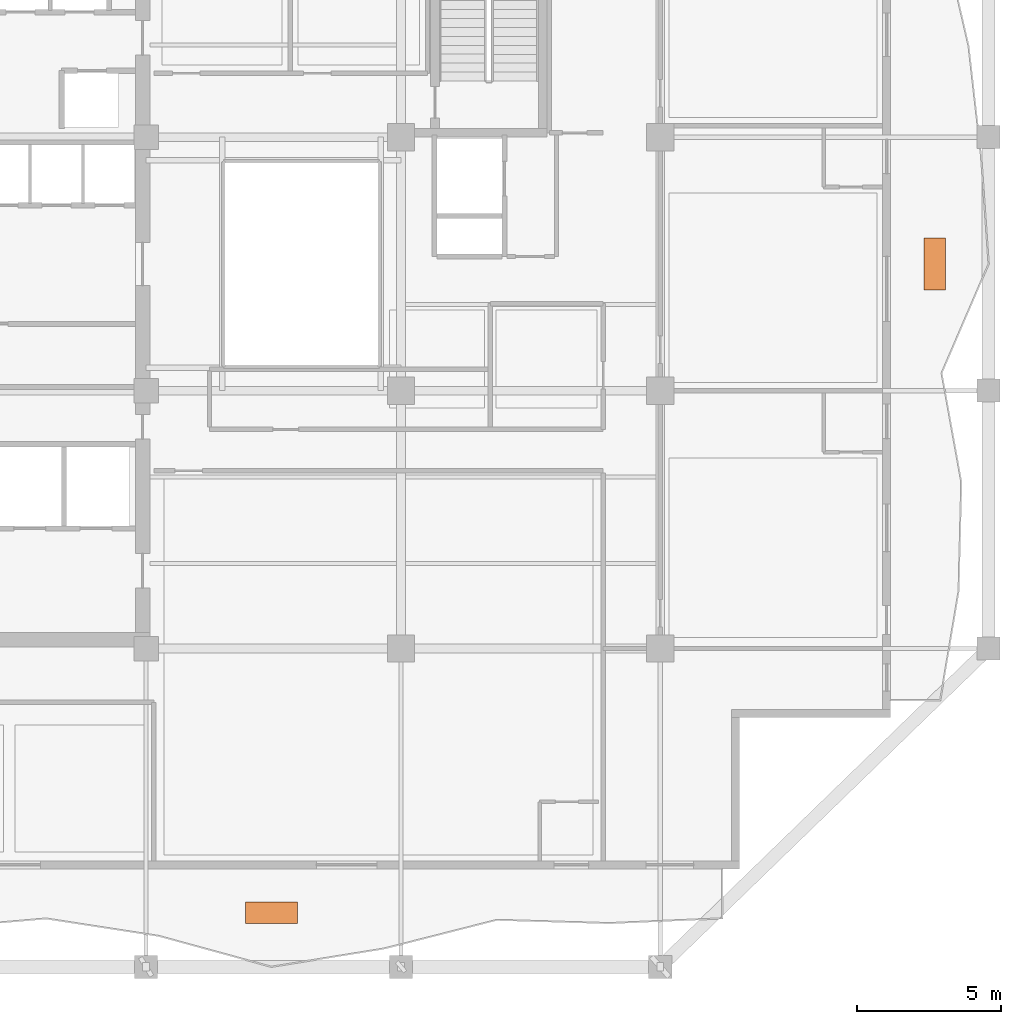
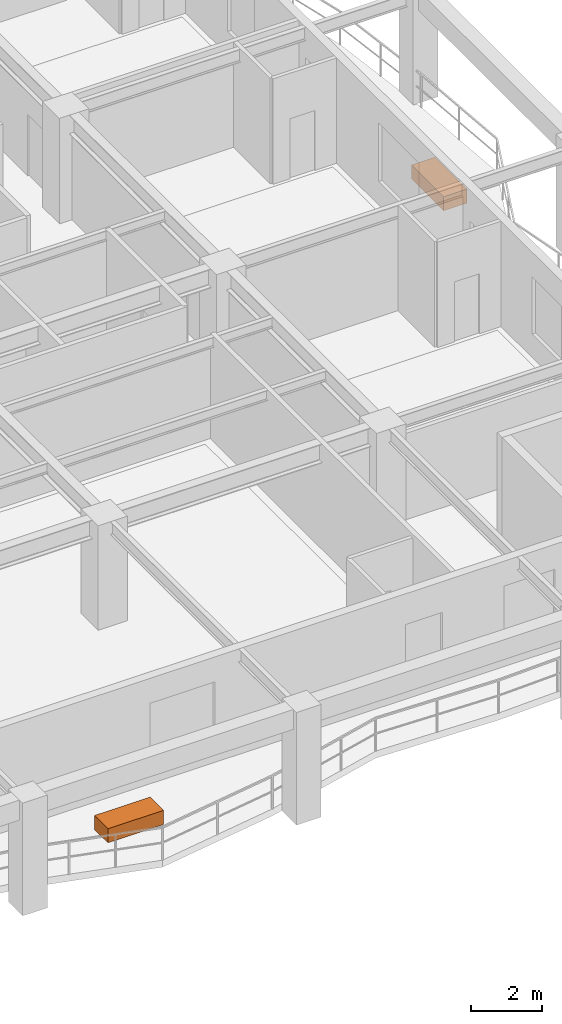
# One storey, part 12 of 12: 2 proxies.
"""IFC4 building model written with IfcOpenShell, lengths in metres."""

from ifc_helpers import new_model, si_unit, direction, frame, origin, origin_2d, place, context, subcontext, project, spatial, rectangle, extrude, material, type_object, element, save


model = new_model("IFC4")

# Units and contexts
model_context = context("Model", 3, precision=1e-05, world=origin(), true_north=direction((0.0, 1.0)))
body_context = subcontext(model_context, "Body", "Model", "MODEL_VIEW")
ifc_project = project(units=[si_unit("LENGTHUNIT", "METRE"), si_unit("AREAUNIT", "SQUARE_METRE"), si_unit("VOLUMEUNIT", "CUBIC_METRE"), si_unit("PLANEANGLEUNIT", "RADIAN"), si_unit("MASSUNIT", "GRAM", prefix="KILO")], contexts=[model_context])

# Site, building, storey
site_placement = place(None, origin())
site = spatial("IfcSite", under=ifc_project, at=site_placement, CompositionType="ELEMENT")
building_placement = place(site_placement, origin())
building = spatial("IfcBuilding", under=site, at=building_placement, Name="Kundavana Baori Tower", CompositionType="ELEMENT")
storey_placement = place(building_placement, frame((0.0, 0.0, 196.39990234375)))
storey = spatial("IfcBuildingStorey", under=building, at=storey_placement, Name="L48", CompositionType="ELEMENT", Elevation=196.39990234375)

# Proxies
ifc_material = material(Name="Red-Buff Dholpur Sandstone Cladding on Concrete C40/50", Category="masonry")
building_element_proxy_type = type_object("IfcBuildingElementProxyType", Name="PRX-PLANTER-1800", PredefinedType="USERDEFINED", material=ifc_material)
for number, where, z_axis, x_axis, name in (
    (1, (29.300048828125, 6.070068359375, 0.0), (0.0, 0.0, 1.0), (1.0, 0.0, 0.0), "L48 Dholpur Stone Structural Tree Planter S"),
    (2, (52.330078125, 28.60009765625, 0.0), (0.0, 0.0, 1.0), (0.0, 1.0, 0.0), "L48 Dholpur Stone Structural Tree Planter E"),
):
    element("IfcBuildingElementProxy", number, at=place(storey_placement, frame(where, z_axis=z_axis, x_axis=x_axis)), inside=storey, type_object=building_element_proxy_type, Name=name, ObjectType="PLANTER", PredefinedType="USERDEFINED", context=body_context, shape_type="SweptSolid", body=[
        extrude(rectangle(XDim=1.800048828125, YDim=0.75, at=origin_2d()), origin(), (0.0, 0.0, 1.0), 0.47998046875),
    ])

save(model, "model.ifc")
